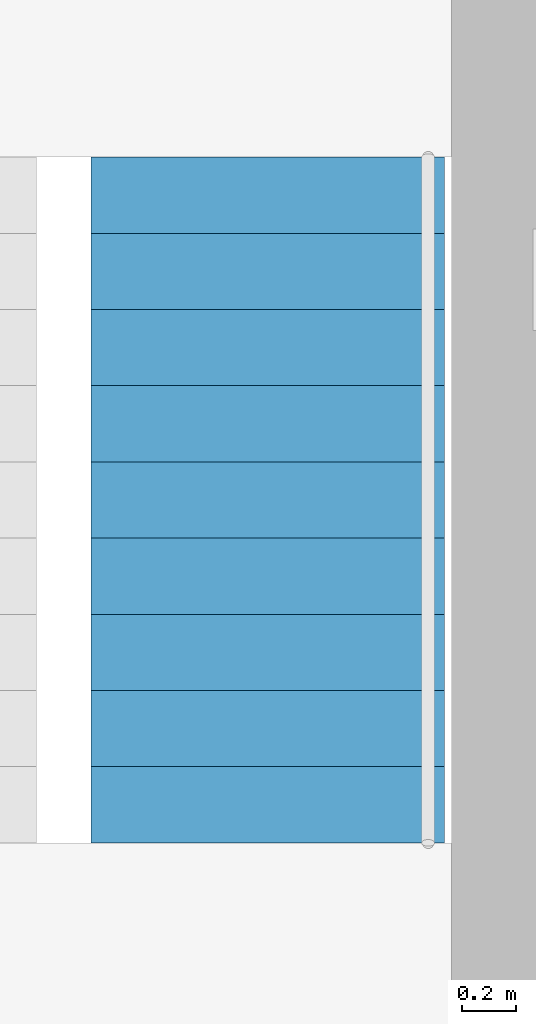
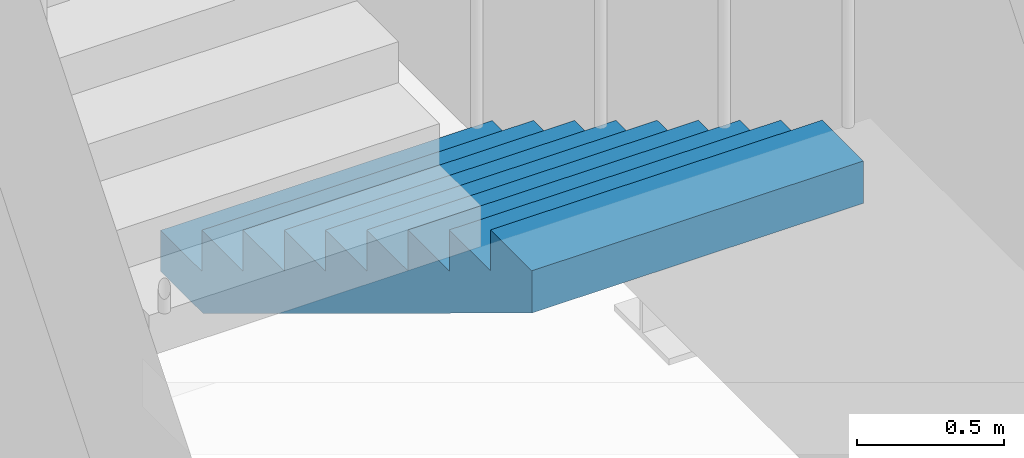
# One storey, part 14 of 17: 1 stair flight, 1 element without a shape of its own.
"""IFC4 building model written with IfcOpenShell, lengths in metres."""

from ifc_helpers import new_model, si_unit, direction, frame, origin, place, context, subcontext, project, spatial, polyline, outline, extrude, material, type_object, element, aggregate, save


model = new_model("IFC4")

# Units and contexts
model_context = context("Model", 3, precision=1e-05, world=origin(), true_north=direction((0.0, 1.0)))
body_context = subcontext(model_context, "Body", "Model", "MODEL_VIEW")
ifc_project = project(units=[si_unit("LENGTHUNIT", "METRE"), si_unit("AREAUNIT", "SQUARE_METRE"), si_unit("VOLUMEUNIT", "CUBIC_METRE"), si_unit("PLANEANGLEUNIT", "RADIAN"), si_unit("MASSUNIT", "GRAM", prefix="KILO")], contexts=[model_context])

# Site, building, storey
site_placement = place(None, origin())
site = spatial("IfcSite", under=ifc_project, at=site_placement, CompositionType="ELEMENT")
building_placement = place(site_placement, origin())
building = spatial("IfcBuilding", under=site, at=building_placement, Name="Loomwork Tower", CompositionType="ELEMENT")
storey_placement = place(building_placement, frame((0.0, 0.0, 138.39990234375)))
storey = spatial("IfcBuildingStorey", under=building, at=storey_placement, Name="L37", CompositionType="ELEMENT", Elevation=138.39990234375)

# Stair, stair flight
ifc_material_1 = material(Name="Concrete 5000 psi (34 MPa) precast stair", Category="concrete")
stair_type = type_object("IfcStairType", Name="Stair ST-B 20 risers 2850 wide", PredefinedType="HALF_TURN_STAIR", material=ifc_material_1)
stair_placement = place(storey_placement, origin())
stair = element("IfcStair", 1, at=stair_placement, inside=storey, type_object=stair_type, Name="Stair B L37", PredefinedType="HALF_TURN_STAIR")
ifc_material_2 = material(Name="Concrete 5000 psi (34 MPa) precast stair", Category="concrete")
stair_flight_type = type_object("IfcStairFlightType", Name="Stair flight ST-B 10 risers 1300 wide", PredefinedType="STRAIGHT", material=ifc_material_2)
stair_flight_placement = place(storey_placement, frame((32.925048828125, 18.449951171875, 0.0), z_axis=(0.0, 0.0, 1.0), x_axis=(0.0, -1.0, 0.0)))
stair_flight = element("IfcStairFlight", 2, at=stair_flight_placement, type_object=stair_flight_type, Name="ST-B flight 1", NumberOfRisers=10, NumberOfTreads=9, PredefinedType="STRAIGHT", RiserHeight=0.17, TreadLength=0.28, context=body_context, shape_type="SweptSolid", body=[
    extrude(outline(polyline([(0.0, 0.0), (0.0, 0.169921875), (0.280029296875, 0.169921875), (0.280029296875, 0.340087890625), (0.56005859375, 0.340087890625), (0.56005859375, 0.510009765625), (0.840087890625, 0.510009765625), (0.840087890625, 0.679931640625), (1.1201171875, 0.679931640625), (1.1201171875, 0.85009765625), (1.39990234375, 0.85009765625), (1.39990234375, 1.02001953125), (1.679931640625, 1.02001953125), (1.679931640625, 1.18994140625), (1.9599609375, 1.18994140625), (1.9599609375, 1.360107421875), (2.239990234375, 1.360107421875), (2.239990234375, 1.530029296875), (2.52001953125, 1.530029296875), (2.52001953125, 1.699951171875), (2.52001953125, 1.354736328125), (0.288818359375, 0.0), (0.0, 0.0)])), frame((0.0, 0.64990234375, 0.0), z_axis=(0.0, -1.0, 0.0), x_axis=(1.0, 0.0, 0.0)), (0.0, 0.0, 1.0), 1.300048828125),
])
aggregate(stair, [stair_flight])

save(model, "model.ifc")
